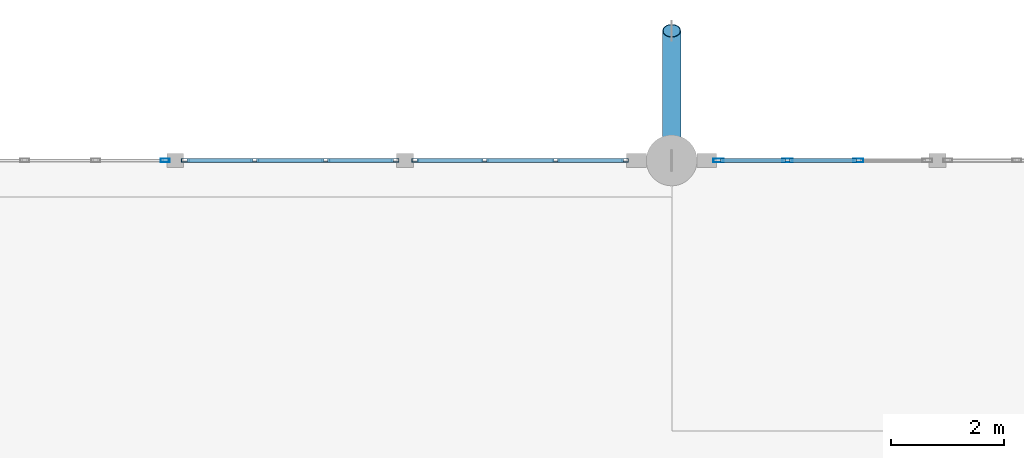
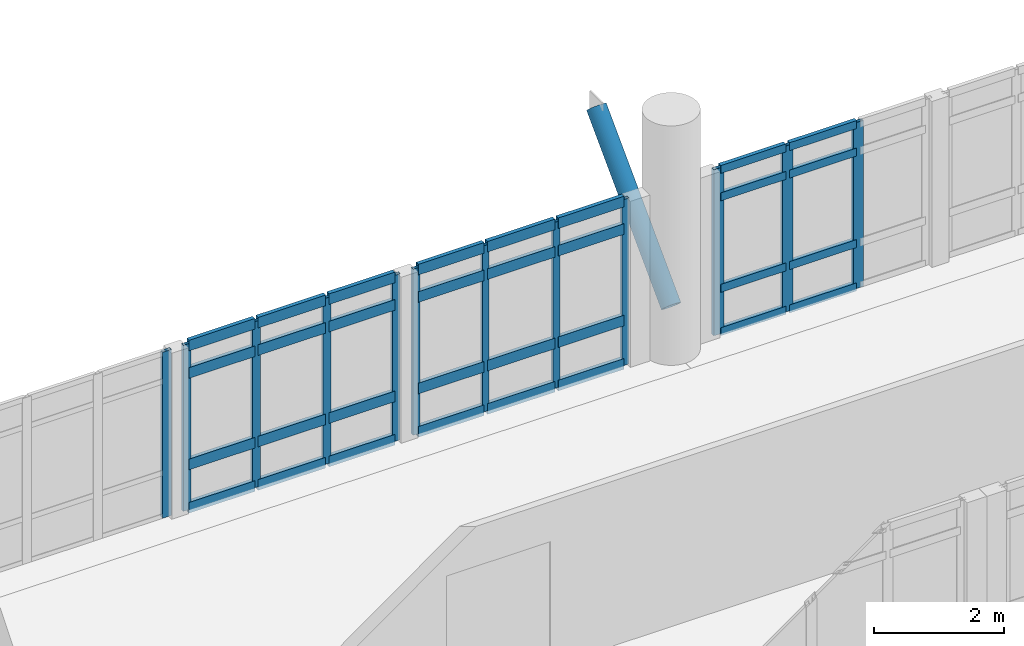
# One storey, part 16 of 37: 45 members, 4 elements without a shape of their own.
"""IFC4 building model written with IfcOpenShell, lengths in metres."""

from ifc_helpers import new_model, si_unit, direction, frame, origin, origin_2d, place, context, subcontext, project, spatial, hollow_rectangle, hollow_circle, extrude, material, layer, layer_set, material_profile, profile_set, type_object, element, aggregate, save


model = new_model("IFC4")

# Units and contexts
model_context = context("Model", 3, precision=1e-05, world=origin(), true_north=direction((0.0, 1.0)))
body_context = subcontext(model_context, "Body", "Model", "MODEL_VIEW")
ifc_project = project(units=[si_unit("LENGTHUNIT", "METRE"), si_unit("AREAUNIT", "SQUARE_METRE"), si_unit("VOLUMEUNIT", "CUBIC_METRE"), si_unit("PLANEANGLEUNIT", "RADIAN"), si_unit("MASSUNIT", "GRAM", prefix="KILO")], contexts=[model_context])

# Site, building, storey
site_placement = place(None, origin())
site = spatial("IfcSite", under=ifc_project, at=site_placement, CompositionType="ELEMENT")
building_placement = place(site_placement, origin())
building = spatial("IfcBuilding", under=site, at=building_placement, Name="Fikremerkos Civic Library", CompositionType="ELEMENT")
storey_placement = place(building_placement, frame((0.0, 0.0, 23.39990234375)))
storey = spatial("IfcBuildingStorey", under=building, at=storey_placement, Name="L05", CompositionType="ELEMENT", Elevation=23.39990234375)

# Curtain wall, members
ifc_material_1 = material(Name="Anodized aluminium Frame", Category="aluminium")
ifc_layer_1 = layer(ifc_material_1, 0.159912109375, Name="Anodized aluminium Frame")
ifc_layer_set_1 = layer_set([ifc_layer_1], Name="Anodized aluminium Frame")
curtain_wall_type_1 = type_object("IfcCurtainWallType", Name="Unitised curtain wall CW-17 4600x3600", PredefinedType="USERDEFINED", material=ifc_layer_set_1)
curtain_wall_1_placement = place(storey_placement, origin())
curtain_wall_1 = element("IfcCurtainWall", 1, at=curtain_wall_1_placement, inside=storey, type_object=curtain_wall_type_1, Name="Unitised curtain wall CW-17 L05 #269", ObjectType="UNITISED CURTAIN WALL", PredefinedType="USERDEFINED")
ifc_material_profile_1 = material_profile(ifc_material_1, hollow_rectangle(XDim=0.06494140625, YDim=0.179931640625, WallThickness=0.00439453125, at=origin_2d()), Name="ALU 180x65x4.5")
ifc_profile_set_1 = profile_set([ifc_material_profile_1], Name="Anodized aluminium Frame")
member_type_1 = type_object("IfcMemberType", Name="Curtain mullion CWM-01 ALU 180x65x4.5", PredefinedType="MULLION", material=ifc_profile_set_1)
member_1_placement = place(storey_placement, frame((74.030517578125, 31.199951171875, 0.0), z_axis=(0.0, 0.0, 1.0), x_axis=(0.0, 1.0, 0.0)))
member_1 = element("IfcMember", 2, at=member_1_placement, type_object=member_type_1, Name="CW-17 mullion 1", PredefinedType="MULLION", context=body_context, shape_type="SweptSolid", body=[
    extrude(hollow_rectangle(XDim=0.06494140625, YDim=0.179931640625, WallThickness=0.00439453125, at=origin_2d()), origin(), (0.0, 0.0, 1.0), 3.1201171875),
])
member_2_placement = place(storey_placement, frame((75.25390625, 31.199951171875, 0.0), z_axis=(0.0, 0.0, 1.0), x_axis=(0.0, 1.0, 0.0)))
member_2 = element("IfcMember", 3, at=member_2_placement, type_object=member_type_1, Name="CW-17 mullion 2", PredefinedType="MULLION", context=body_context, shape_type="SweptSolid", body=[
    extrude(hollow_rectangle(XDim=0.06494140625, YDim=0.179931640625, WallThickness=0.00439453125, at=origin_2d()), origin(), (0.0, 0.0, 1.0), 3.1201171875),
])
member_3_placement = place(storey_placement, frame((76.510009765625, 31.199951171875, 0.0), z_axis=(0.0, 0.0, 1.0), x_axis=(0.0, 1.0, 0.0)))
member_3 = element("IfcMember", 4, at=member_3_placement, type_object=member_type_1, Name="CW-17 mullion 3", PredefinedType="MULLION", context=body_context, shape_type="SweptSolid", body=[
    extrude(hollow_rectangle(XDim=0.06494140625, YDim=0.179931640625, WallThickness=0.00439453125, at=origin_2d()), origin(), (0.0, 0.0, 1.0), 3.1201171875),
])

# Curtain wall, member
ifc_layer_2 = layer(ifc_material_1, 0.159912109375, Name="Anodized aluminium Frame")
ifc_layer_set_2 = layer_set([ifc_layer_2], Name="Anodized aluminium Frame")
curtain_wall_type_2 = type_object("IfcCurtainWallType", Name="Unitised curtain wall CW-14 4100x3200", PredefinedType="USERDEFINED", material=ifc_layer_set_2)
curtain_wall_2_placement = place(storey_placement, origin())
curtain_wall_2 = element("IfcCurtainWall", 5, at=curtain_wall_2_placement, inside=storey, type_object=curtain_wall_type_2, Name="Unitised curtain wall CW-14 L05 #266", ObjectType="UNITISED CURTAIN WALL", PredefinedType="USERDEFINED")
ifc_material_profile_2 = material_profile(ifc_material_1, hollow_rectangle(XDim=0.06005859375, YDim=0.159912109375, WallThickness=0.00390625, at=origin_2d()), Name="ALU 160x60x4")
ifc_profile_set_2 = profile_set([ifc_material_profile_2], Name="Anodized aluminium Frame")
member_type_2 = type_object("IfcMemberType", Name="Curtain mullion CWM-02 ALU 160x60x4", PredefinedType="MULLION", material=ifc_profile_set_2)
member_4_placement = place(storey_placement, frame((64.21923828125, 31.199951171875, 0.0), z_axis=(0.0, 0.0, 1.0), x_axis=(0.0, 1.0, 0.0)))
member_4 = element("IfcMember", 6, at=member_4_placement, type_object=member_type_2, Name="CW-14 mullion 4", PredefinedType="MULLION", context=body_context, shape_type="SweptSolid", body=[
    extrude(hollow_rectangle(XDim=0.06005859375, YDim=0.159912109375, WallThickness=0.00390625, at=origin_2d()), origin(), (0.0, 0.0, 1.0), 3.1201171875),
])
aggregate(curtain_wall_2, [member_4])

# Curtain wall, members
ifc_layer_3 = layer(ifc_material_1, 0.159912109375, Name="Anodized aluminium Frame")
ifc_layer_set_3 = layer_set([ifc_layer_3], Name="Anodized aluminium Frame")
curtain_wall_type_3 = type_object("IfcCurtainWallType", Name="Unitised curtain wall CW-15 2900x3600", PredefinedType="USERDEFINED", material=ifc_layer_set_3)
curtain_wall_3_placement = place(storey_placement, origin())
curtain_wall_3 = element("IfcCurtainWall", 7, at=curtain_wall_3_placement, inside=storey, type_object=curtain_wall_type_3, Name="Unitised curtain wall CW-15 L05 #267", ObjectType="UNITISED CURTAIN WALL", PredefinedType="USERDEFINED")
ifc_material_profile_3 = material_profile(ifc_material_1, hollow_rectangle(XDim=0.06005859375, YDim=0.139892578125, WallThickness=0.00390625, at=origin_2d()), Name="ALU 140x60x4")
ifc_profile_set_3 = profile_set([ifc_material_profile_3], Name="Anodized aluminium Frame")
member_type_3 = type_object("IfcMemberType", Name="Curtain mullion CWM-03 ALU 140x60x4", PredefinedType="MULLION", material=ifc_profile_set_3)
member_5_placement = place(storey_placement, frame((64.579345703125, 31.199951171875, 0.0), z_axis=(0.0, 0.0, 1.0), x_axis=(0.0, 1.0, 0.0)))
member_5 = element("IfcMember", 8, at=member_5_placement, type_object=member_type_3, Name="CW-15 mullion 1", PredefinedType="MULLION", context=body_context, shape_type="SweptSolid", body=[
    extrude(hollow_rectangle(XDim=0.06005859375, YDim=0.139892578125, WallThickness=0.00390625, at=origin_2d()), origin(), (0.0, 0.0, 1.0), 3.1201171875),
])
member_6_placement = place(storey_placement, frame((65.80810546875, 31.199951171875, 0.0), z_axis=(0.0, 0.0, 1.0), x_axis=(0.0, 1.0, 0.0)))
member_6 = element("IfcMember", 9, at=member_6_placement, type_object=member_type_3, Name="CW-15 mullion 2", PredefinedType="MULLION", context=body_context, shape_type="SweptSolid", body=[
    extrude(hollow_rectangle(XDim=0.06005859375, YDim=0.139892578125, WallThickness=0.00390625, at=origin_2d()), origin(), (0.0, 0.0, 1.0), 3.1201171875),
])
member_7_placement = place(storey_placement, frame((67.06689453125, 31.199951171875, 0.0), z_axis=(0.0, 0.0, 1.0), x_axis=(0.0, 1.0, 0.0)))
member_7 = element("IfcMember", 10, at=member_7_placement, type_object=member_type_3, Name="CW-15 mullion 3", PredefinedType="MULLION", context=body_context, shape_type="SweptSolid", body=[
    extrude(hollow_rectangle(XDim=0.06005859375, YDim=0.139892578125, WallThickness=0.00390625, at=origin_2d()), origin(), (0.0, 0.0, 1.0), 3.1201171875),
])
member_8_placement = place(storey_placement, frame((68.295654296875, 31.199951171875, 0.0), z_axis=(0.0, 0.0, 1.0), x_axis=(0.0, 1.0, 0.0)))
member_8 = element("IfcMember", 11, at=member_8_placement, type_object=member_type_3, Name="CW-15 mullion 4", PredefinedType="MULLION", context=body_context, shape_type="SweptSolid", body=[
    extrude(hollow_rectangle(XDim=0.06005859375, YDim=0.139892578125, WallThickness=0.00390625, at=origin_2d()), origin(), (0.0, 0.0, 1.0), 3.1201171875),
])

ifc_layer_4 = layer(ifc_material_1, 0.159912109375, Name="Anodized aluminium Frame")
ifc_layer_set_4 = layer_set([ifc_layer_4], Name="Anodized aluminium Frame")
curtain_wall_type_4 = type_object("IfcCurtainWallType", Name="Unitised curtain wall CW-16 3100x4100", PredefinedType="USERDEFINED", material=ifc_layer_set_4)
curtain_wall_4_placement = place(storey_placement, origin())
curtain_wall_4 = element("IfcCurtainWall", 12, at=curtain_wall_4_placement, inside=storey, type_object=curtain_wall_type_4, Name="Unitised curtain wall CW-16 L05 #268", ObjectType="UNITISED CURTAIN WALL", PredefinedType="USERDEFINED")
ifc_material_profile_4 = material_profile(ifc_material_1, hollow_rectangle(XDim=0.06005859375, YDim=0.1201171875, WallThickness=0.00390625, at=origin_2d()), Name="ALU 120x60x4")
ifc_profile_set_4 = profile_set([ifc_material_profile_4], Name="Anodized aluminium Frame")
member_type_4 = type_object("IfcMemberType", Name="Curtain mullion CWM-04 ALU 120x60x4", PredefinedType="MULLION", material=ifc_profile_set_4)
member_9_placement = place(storey_placement, frame((68.65576171875, 31.199951171875, 0.0), z_axis=(0.0, 0.0, 1.0), x_axis=(0.0, 1.0, 0.0)))
member_9 = element("IfcMember", 13, at=member_9_placement, type_object=member_type_4, Name="CW-16 mullion 1", PredefinedType="MULLION", context=body_context, shape_type="SweptSolid", body=[
    extrude(hollow_rectangle(XDim=0.06005859375, YDim=0.1201171875, WallThickness=0.00390625, at=origin_2d()), origin(), (0.0, 0.0, 1.0), 3.1201171875),
])
member_10_placement = place(storey_placement, frame((69.884521484375, 31.199951171875, 0.0), z_axis=(0.0, 0.0, 1.0), x_axis=(0.0, 1.0, 0.0)))
member_10 = element("IfcMember", 14, at=member_10_placement, type_object=member_type_4, Name="CW-16 mullion 2", PredefinedType="MULLION", context=body_context, shape_type="SweptSolid", body=[
    extrude(hollow_rectangle(XDim=0.06005859375, YDim=0.1201171875, WallThickness=0.00390625, at=origin_2d()), origin(), (0.0, 0.0, 1.0), 3.1201171875),
])
member_11_placement = place(storey_placement, frame((71.143310546875, 31.199951171875, 0.0), z_axis=(0.0, 0.0, 1.0), x_axis=(0.0, 1.0, 0.0)))
member_11 = element("IfcMember", 15, at=member_11_placement, type_object=member_type_4, Name="CW-16 mullion 3", PredefinedType="MULLION", context=body_context, shape_type="SweptSolid", body=[
    extrude(hollow_rectangle(XDim=0.06005859375, YDim=0.1201171875, WallThickness=0.00390625, at=origin_2d()), origin(), (0.0, 0.0, 1.0), 3.1201171875),
])
member_12_placement = place(storey_placement, frame((72.3720703125, 31.199951171875, 0.0), z_axis=(0.0, 0.0, 1.0), x_axis=(0.0, 1.0, 0.0)))
member_12 = element("IfcMember", 16, at=member_12_placement, type_object=member_type_4, Name="CW-16 mullion 4", PredefinedType="MULLION", context=body_context, shape_type="SweptSolid", body=[
    extrude(hollow_rectangle(XDim=0.06005859375, YDim=0.1201171875, WallThickness=0.00390625, at=origin_2d()), origin(), (0.0, 0.0, 1.0), 3.1201171875),
])

# Member
ifc_material_profile_5 = material_profile(ifc_material_1, hollow_rectangle(XDim=0.070068359375, YDim=0.14990234375, WallThickness=0.00439453125, at=origin_2d()), Name="ALU 150x70x4.5")
ifc_profile_set_5 = profile_set([ifc_material_profile_5], Name="Anodized aluminium Frame")
member_type_5 = type_object("IfcMemberType", Name="Curtain transom CWT-01 ALU 150x70x4.5", PredefinedType="USERDEFINED", material=ifc_profile_set_5)
member_13_placement = place(storey_placement, frame((74.06298828125, 31.199951171875, 0.03515625), z_axis=(1.0, 0.0, 0.0), x_axis=(0.0, 1.0, 0.0)))
member_13 = element("IfcMember", 17, at=member_13_placement, type_object=member_type_5, Name="CW-17 transom 1.1", ObjectType="TRANSOM", PredefinedType="USERDEFINED", context=body_context, shape_type="SweptSolid", body=[
    extrude(hollow_rectangle(XDim=0.070068359375, YDim=0.14990234375, WallThickness=0.00439453125, at=origin_2d()), origin(), (0.0, 0.0, 1.0), 1.158447265625),
])

member_14_placement = place(storey_placement, frame((74.06298828125, 31.199951171875, 0.85009765625), z_axis=(1.0, 0.0, 0.0), x_axis=(0.0, 1.0, 0.0)))
member_14 = element("IfcMember", 18, at=member_14_placement, type_object=member_type_5, Name="CW-17 transom 1.2", ObjectType="TRANSOM", PredefinedType="USERDEFINED", context=body_context, shape_type="SweptSolid", body=[
    extrude(hollow_rectangle(XDim=0.070068359375, YDim=0.14990234375, WallThickness=0.00439453125, at=origin_2d()), origin(), (0.0, 0.0, 1.0), 1.158447265625),
])

member_15_placement = place(storey_placement, frame((74.06298828125, 31.199951171875, 2.570068359375), z_axis=(1.0, 0.0, 0.0), x_axis=(0.0, 1.0, 0.0)))
member_15 = element("IfcMember", 19, at=member_15_placement, type_object=member_type_5, Name="CW-17 transom 1.3", ObjectType="TRANSOM", PredefinedType="USERDEFINED", context=body_context, shape_type="SweptSolid", body=[
    extrude(hollow_rectangle(XDim=0.070068359375, YDim=0.14990234375, WallThickness=0.00439453125, at=origin_2d()), origin(), (0.0, 0.0, 1.0), 1.158447265625),
])

member_16_placement = place(storey_placement, frame((74.06298828125, 31.199951171875, 3.085205078125), z_axis=(1.0, 0.0, 0.0), x_axis=(0.0, 1.0, 0.0)))
member_16 = element("IfcMember", 20, at=member_16_placement, type_object=member_type_5, Name="CW-17 transom 1.4", ObjectType="TRANSOM", PredefinedType="USERDEFINED", context=body_context, shape_type="SweptSolid", body=[
    extrude(hollow_rectangle(XDim=0.070068359375, YDim=0.14990234375, WallThickness=0.00439453125, at=origin_2d()), origin(), (0.0, 0.0, 1.0), 1.158447265625),
])

member_17_placement = place(storey_placement, frame((75.28662109375, 31.199951171875, 0.03515625), z_axis=(1.0, 0.0, 0.0), x_axis=(0.0, 1.0, 0.0)))
member_17 = element("IfcMember", 21, at=member_17_placement, type_object=member_type_5, Name="CW-17 transom 2.1", ObjectType="TRANSOM", PredefinedType="USERDEFINED", context=body_context, shape_type="SweptSolid", body=[
    extrude(hollow_rectangle(XDim=0.070068359375, YDim=0.14990234375, WallThickness=0.00439453125, at=origin_2d()), origin(), (0.0, 0.0, 1.0), 1.19091796875),
])

member_18_placement = place(storey_placement, frame((75.28662109375, 31.199951171875, 0.85009765625), z_axis=(1.0, 0.0, 0.0), x_axis=(0.0, 1.0, 0.0)))
member_18 = element("IfcMember", 22, at=member_18_placement, type_object=member_type_5, Name="CW-17 transom 2.2", ObjectType="TRANSOM", PredefinedType="USERDEFINED", context=body_context, shape_type="SweptSolid", body=[
    extrude(hollow_rectangle(XDim=0.070068359375, YDim=0.14990234375, WallThickness=0.00439453125, at=origin_2d()), origin(), (0.0, 0.0, 1.0), 1.19091796875),
])

member_19_placement = place(storey_placement, frame((75.28662109375, 31.199951171875, 2.570068359375), z_axis=(1.0, 0.0, 0.0), x_axis=(0.0, 1.0, 0.0)))
member_19 = element("IfcMember", 23, at=member_19_placement, type_object=member_type_5, Name="CW-17 transom 2.3", ObjectType="TRANSOM", PredefinedType="USERDEFINED", context=body_context, shape_type="SweptSolid", body=[
    extrude(hollow_rectangle(XDim=0.070068359375, YDim=0.14990234375, WallThickness=0.00439453125, at=origin_2d()), origin(), (0.0, 0.0, 1.0), 1.19091796875),
])

member_20_placement = place(storey_placement, frame((75.28662109375, 31.199951171875, 3.085205078125), z_axis=(1.0, 0.0, 0.0), x_axis=(0.0, 1.0, 0.0)))
member_20 = element("IfcMember", 24, at=member_20_placement, type_object=member_type_5, Name="CW-17 transom 2.4", ObjectType="TRANSOM", PredefinedType="USERDEFINED", context=body_context, shape_type="SweptSolid", body=[
    extrude(hollow_rectangle(XDim=0.070068359375, YDim=0.14990234375, WallThickness=0.00439453125, at=origin_2d()), origin(), (0.0, 0.0, 1.0), 1.19091796875),
])

aggregate(curtain_wall_1, [member_1, member_2, member_3, member_13, member_14, member_15, member_16, member_17, member_18, member_19, member_20])

ifc_material_profile_6 = material_profile(ifc_material_1, hollow_rectangle(XDim=0.070068359375, YDim=0.199951171875, WallThickness=0.0048828125, at=origin_2d()), Name="ALU 200x70x5")
ifc_profile_set_6 = profile_set([ifc_material_profile_6], Name="Anodized aluminium Frame")
member_type_6 = type_object("IfcMemberType", Name="Curtain transom CWT-04 ALU 200x70x5", PredefinedType="USERDEFINED", material=ifc_profile_set_6)
member_21_placement = place(storey_placement, frame((64.609375, 31.199951171875, 0.03515625), z_axis=(1.0, 0.0, 0.0), x_axis=(0.0, 1.0, 0.0)))
member_21 = element("IfcMember", 25, at=member_21_placement, type_object=member_type_6, Name="CW-15 transom 1.1", ObjectType="TRANSOM", PredefinedType="USERDEFINED", context=body_context, shape_type="SweptSolid", body=[
    extrude(hollow_rectangle(XDim=0.070068359375, YDim=0.199951171875, WallThickness=0.0048828125, at=origin_2d()), origin(), (0.0, 0.0, 1.0), 1.168701171875),
])

member_22_placement = place(storey_placement, frame((64.609375, 31.199951171875, 0.85009765625), z_axis=(1.0, 0.0, 0.0), x_axis=(0.0, 1.0, 0.0)))
member_22 = element("IfcMember", 26, at=member_22_placement, type_object=member_type_6, Name="CW-15 transom 1.2", ObjectType="TRANSOM", PredefinedType="USERDEFINED", context=body_context, shape_type="SweptSolid", body=[
    extrude(hollow_rectangle(XDim=0.070068359375, YDim=0.199951171875, WallThickness=0.0048828125, at=origin_2d()), origin(), (0.0, 0.0, 1.0), 1.168701171875),
])

member_23_placement = place(storey_placement, frame((64.609375, 31.199951171875, 2.570068359375), z_axis=(1.0, 0.0, 0.0), x_axis=(0.0, 1.0, 0.0)))
member_23 = element("IfcMember", 27, at=member_23_placement, type_object=member_type_6, Name="CW-15 transom 1.3", ObjectType="TRANSOM", PredefinedType="USERDEFINED", context=body_context, shape_type="SweptSolid", body=[
    extrude(hollow_rectangle(XDim=0.070068359375, YDim=0.199951171875, WallThickness=0.0048828125, at=origin_2d()), origin(), (0.0, 0.0, 1.0), 1.168701171875),
])

member_24_placement = place(storey_placement, frame((64.609375, 31.199951171875, 3.085205078125), z_axis=(1.0, 0.0, 0.0), x_axis=(0.0, 1.0, 0.0)))
member_24 = element("IfcMember", 28, at=member_24_placement, type_object=member_type_6, Name="CW-15 transom 1.4", ObjectType="TRANSOM", PredefinedType="USERDEFINED", context=body_context, shape_type="SweptSolid", body=[
    extrude(hollow_rectangle(XDim=0.070068359375, YDim=0.199951171875, WallThickness=0.0048828125, at=origin_2d()), origin(), (0.0, 0.0, 1.0), 1.168701171875),
])

member_25_placement = place(storey_placement, frame((65.838134765625, 31.199951171875, 0.03515625), z_axis=(1.0, 0.0, 0.0), x_axis=(0.0, 1.0, 0.0)))
member_25 = element("IfcMember", 29, at=member_25_placement, type_object=member_type_6, Name="CW-15 transom 2.1", ObjectType="TRANSOM", PredefinedType="USERDEFINED", context=body_context, shape_type="SweptSolid", body=[
    extrude(hollow_rectangle(XDim=0.070068359375, YDim=0.199951171875, WallThickness=0.0048828125, at=origin_2d()), origin(), (0.0, 0.0, 1.0), 1.19873046875),
])

member_26_placement = place(storey_placement, frame((65.838134765625, 31.199951171875, 0.85009765625), z_axis=(1.0, 0.0, 0.0), x_axis=(0.0, 1.0, 0.0)))
member_26 = element("IfcMember", 30, at=member_26_placement, type_object=member_type_6, Name="CW-15 transom 2.2", ObjectType="TRANSOM", PredefinedType="USERDEFINED", context=body_context, shape_type="SweptSolid", body=[
    extrude(hollow_rectangle(XDim=0.070068359375, YDim=0.199951171875, WallThickness=0.0048828125, at=origin_2d()), origin(), (0.0, 0.0, 1.0), 1.19873046875),
])

member_27_placement = place(storey_placement, frame((65.838134765625, 31.199951171875, 2.570068359375), z_axis=(1.0, 0.0, 0.0), x_axis=(0.0, 1.0, 0.0)))
member_27 = element("IfcMember", 31, at=member_27_placement, type_object=member_type_6, Name="CW-15 transom 2.3", ObjectType="TRANSOM", PredefinedType="USERDEFINED", context=body_context, shape_type="SweptSolid", body=[
    extrude(hollow_rectangle(XDim=0.070068359375, YDim=0.199951171875, WallThickness=0.0048828125, at=origin_2d()), origin(), (0.0, 0.0, 1.0), 1.19873046875),
])

member_28_placement = place(storey_placement, frame((65.838134765625, 31.199951171875, 3.085205078125), z_axis=(1.0, 0.0, 0.0), x_axis=(0.0, 1.0, 0.0)))
member_28 = element("IfcMember", 32, at=member_28_placement, type_object=member_type_6, Name="CW-15 transom 2.4", ObjectType="TRANSOM", PredefinedType="USERDEFINED", context=body_context, shape_type="SweptSolid", body=[
    extrude(hollow_rectangle(XDim=0.070068359375, YDim=0.199951171875, WallThickness=0.0048828125, at=origin_2d()), origin(), (0.0, 0.0, 1.0), 1.19873046875),
])

member_29_placement = place(storey_placement, frame((67.096923828125, 31.199951171875, 0.03515625), z_axis=(1.0, 0.0, 0.0), x_axis=(0.0, 1.0, 0.0)))
member_29 = element("IfcMember", 33, at=member_29_placement, type_object=member_type_6, Name="CW-15 transom 3.1", ObjectType="TRANSOM", PredefinedType="USERDEFINED", context=body_context, shape_type="SweptSolid", body=[
    extrude(hollow_rectangle(XDim=0.070068359375, YDim=0.199951171875, WallThickness=0.0048828125, at=origin_2d()), origin(), (0.0, 0.0, 1.0), 1.168701171875),
])

member_30_placement = place(storey_placement, frame((67.096923828125, 31.199951171875, 0.85009765625), z_axis=(1.0, 0.0, 0.0), x_axis=(0.0, 1.0, 0.0)))
member_30 = element("IfcMember", 34, at=member_30_placement, type_object=member_type_6, Name="CW-15 transom 3.2", ObjectType="TRANSOM", PredefinedType="USERDEFINED", context=body_context, shape_type="SweptSolid", body=[
    extrude(hollow_rectangle(XDim=0.070068359375, YDim=0.199951171875, WallThickness=0.0048828125, at=origin_2d()), origin(), (0.0, 0.0, 1.0), 1.168701171875),
])

member_31_placement = place(storey_placement, frame((67.096923828125, 31.199951171875, 2.570068359375), z_axis=(1.0, 0.0, 0.0), x_axis=(0.0, 1.0, 0.0)))
member_31 = element("IfcMember", 35, at=member_31_placement, type_object=member_type_6, Name="CW-15 transom 3.3", ObjectType="TRANSOM", PredefinedType="USERDEFINED", context=body_context, shape_type="SweptSolid", body=[
    extrude(hollow_rectangle(XDim=0.070068359375, YDim=0.199951171875, WallThickness=0.0048828125, at=origin_2d()), origin(), (0.0, 0.0, 1.0), 1.168701171875),
])

member_32_placement = place(storey_placement, frame((67.096923828125, 31.199951171875, 3.085205078125), z_axis=(1.0, 0.0, 0.0), x_axis=(0.0, 1.0, 0.0)))
member_32 = element("IfcMember", 36, at=member_32_placement, type_object=member_type_6, Name="CW-15 transom 3.4", ObjectType="TRANSOM", PredefinedType="USERDEFINED", context=body_context, shape_type="SweptSolid", body=[
    extrude(hollow_rectangle(XDim=0.070068359375, YDim=0.199951171875, WallThickness=0.0048828125, at=origin_2d()), origin(), (0.0, 0.0, 1.0), 1.168701171875),
])

aggregate(curtain_wall_3, [member_5, member_6, member_7, member_8, member_21, member_22, member_23, member_24, member_25, member_26, member_27, member_28, member_29, member_30, member_31, member_32])

member_33_placement = place(storey_placement, frame((68.685791015625, 31.199951171875, 0.03515625), z_axis=(1.0, 0.0, 0.0), x_axis=(0.0, 1.0, 0.0)))
member_33 = element("IfcMember", 37, at=member_33_placement, type_object=member_type_6, Name="CW-16 transom 1.1", ObjectType="TRANSOM", PredefinedType="USERDEFINED", context=body_context, shape_type="SweptSolid", body=[
    extrude(hollow_rectangle(XDim=0.070068359375, YDim=0.199951171875, WallThickness=0.0048828125, at=origin_2d()), origin(), (0.0, 0.0, 1.0), 1.168701171875),
])

member_34_placement = place(storey_placement, frame((68.685791015625, 31.199951171875, 0.85009765625), z_axis=(1.0, 0.0, 0.0), x_axis=(0.0, 1.0, 0.0)))
member_34 = element("IfcMember", 38, at=member_34_placement, type_object=member_type_6, Name="CW-16 transom 1.2", ObjectType="TRANSOM", PredefinedType="USERDEFINED", context=body_context, shape_type="SweptSolid", body=[
    extrude(hollow_rectangle(XDim=0.070068359375, YDim=0.199951171875, WallThickness=0.0048828125, at=origin_2d()), origin(), (0.0, 0.0, 1.0), 1.168701171875),
])

member_35_placement = place(storey_placement, frame((68.685791015625, 31.199951171875, 2.570068359375), z_axis=(1.0, 0.0, 0.0), x_axis=(0.0, 1.0, 0.0)))
member_35 = element("IfcMember", 39, at=member_35_placement, type_object=member_type_6, Name="CW-16 transom 1.3", ObjectType="TRANSOM", PredefinedType="USERDEFINED", context=body_context, shape_type="SweptSolid", body=[
    extrude(hollow_rectangle(XDim=0.070068359375, YDim=0.199951171875, WallThickness=0.0048828125, at=origin_2d()), origin(), (0.0, 0.0, 1.0), 1.168701171875),
])

member_36_placement = place(storey_placement, frame((68.685791015625, 31.199951171875, 3.085205078125), z_axis=(1.0, 0.0, 0.0), x_axis=(0.0, 1.0, 0.0)))
member_36 = element("IfcMember", 40, at=member_36_placement, type_object=member_type_6, Name="CW-16 transom 1.4", ObjectType="TRANSOM", PredefinedType="USERDEFINED", context=body_context, shape_type="SweptSolid", body=[
    extrude(hollow_rectangle(XDim=0.070068359375, YDim=0.199951171875, WallThickness=0.0048828125, at=origin_2d()), origin(), (0.0, 0.0, 1.0), 1.168701171875),
])

member_37_placement = place(storey_placement, frame((69.91455078125, 31.199951171875, 0.03515625), z_axis=(1.0, 0.0, 0.0), x_axis=(0.0, 1.0, 0.0)))
member_37 = element("IfcMember", 41, at=member_37_placement, type_object=member_type_6, Name="CW-16 transom 2.1", ObjectType="TRANSOM", PredefinedType="USERDEFINED", context=body_context, shape_type="SweptSolid", body=[
    extrude(hollow_rectangle(XDim=0.070068359375, YDim=0.199951171875, WallThickness=0.0048828125, at=origin_2d()), origin(), (0.0, 0.0, 1.0), 1.19873046875),
])

member_38_placement = place(storey_placement, frame((69.91455078125, 31.199951171875, 0.85009765625), z_axis=(1.0, 0.0, 0.0), x_axis=(0.0, 1.0, 0.0)))
member_38 = element("IfcMember", 42, at=member_38_placement, type_object=member_type_6, Name="CW-16 transom 2.2", ObjectType="TRANSOM", PredefinedType="USERDEFINED", context=body_context, shape_type="SweptSolid", body=[
    extrude(hollow_rectangle(XDim=0.070068359375, YDim=0.199951171875, WallThickness=0.0048828125, at=origin_2d()), origin(), (0.0, 0.0, 1.0), 1.19873046875),
])

member_39_placement = place(storey_placement, frame((69.91455078125, 31.199951171875, 2.570068359375), z_axis=(1.0, 0.0, 0.0), x_axis=(0.0, 1.0, 0.0)))
member_39 = element("IfcMember", 43, at=member_39_placement, type_object=member_type_6, Name="CW-16 transom 2.3", ObjectType="TRANSOM", PredefinedType="USERDEFINED", context=body_context, shape_type="SweptSolid", body=[
    extrude(hollow_rectangle(XDim=0.070068359375, YDim=0.199951171875, WallThickness=0.0048828125, at=origin_2d()), origin(), (0.0, 0.0, 1.0), 1.19873046875),
])

member_40_placement = place(storey_placement, frame((69.91455078125, 31.199951171875, 3.085205078125), z_axis=(1.0, 0.0, 0.0), x_axis=(0.0, 1.0, 0.0)))
member_40 = element("IfcMember", 44, at=member_40_placement, type_object=member_type_6, Name="CW-16 transom 2.4", ObjectType="TRANSOM", PredefinedType="USERDEFINED", context=body_context, shape_type="SweptSolid", body=[
    extrude(hollow_rectangle(XDim=0.070068359375, YDim=0.199951171875, WallThickness=0.0048828125, at=origin_2d()), origin(), (0.0, 0.0, 1.0), 1.19873046875),
])

member_41_placement = place(storey_placement, frame((71.17333984375, 31.199951171875, 0.03515625), z_axis=(1.0, 0.0, 0.0), x_axis=(0.0, 1.0, 0.0)))
member_41 = element("IfcMember", 45, at=member_41_placement, type_object=member_type_6, Name="CW-16 transom 3.1", ObjectType="TRANSOM", PredefinedType="USERDEFINED", context=body_context, shape_type="SweptSolid", body=[
    extrude(hollow_rectangle(XDim=0.070068359375, YDim=0.199951171875, WallThickness=0.0048828125, at=origin_2d()), origin(), (0.0, 0.0, 1.0), 1.168701171875),
])

member_42_placement = place(storey_placement, frame((71.17333984375, 31.199951171875, 0.85009765625), z_axis=(1.0, 0.0, 0.0), x_axis=(0.0, 1.0, 0.0)))
member_42 = element("IfcMember", 46, at=member_42_placement, type_object=member_type_6, Name="CW-16 transom 3.2", ObjectType="TRANSOM", PredefinedType="USERDEFINED", context=body_context, shape_type="SweptSolid", body=[
    extrude(hollow_rectangle(XDim=0.070068359375, YDim=0.199951171875, WallThickness=0.0048828125, at=origin_2d()), origin(), (0.0, 0.0, 1.0), 1.168701171875),
])

member_43_placement = place(storey_placement, frame((71.17333984375, 31.199951171875, 2.570068359375), z_axis=(1.0, 0.0, 0.0), x_axis=(0.0, 1.0, 0.0)))
member_43 = element("IfcMember", 47, at=member_43_placement, type_object=member_type_6, Name="CW-16 transom 3.3", ObjectType="TRANSOM", PredefinedType="USERDEFINED", context=body_context, shape_type="SweptSolid", body=[
    extrude(hollow_rectangle(XDim=0.070068359375, YDim=0.199951171875, WallThickness=0.0048828125, at=origin_2d()), origin(), (0.0, 0.0, 1.0), 1.168701171875),
])

member_44_placement = place(storey_placement, frame((71.17333984375, 31.199951171875, 3.085205078125), z_axis=(1.0, 0.0, 0.0), x_axis=(0.0, 1.0, 0.0)))
member_44 = element("IfcMember", 48, at=member_44_placement, type_object=member_type_6, Name="CW-16 transom 3.4", ObjectType="TRANSOM", PredefinedType="USERDEFINED", context=body_context, shape_type="SweptSolid", body=[
    extrude(hollow_rectangle(XDim=0.070068359375, YDim=0.199951171875, WallThickness=0.0048828125, at=origin_2d()), origin(), (0.0, 0.0, 1.0), 1.168701171875),
])

aggregate(curtain_wall_4, [member_9, member_10, member_11, member_12, member_33, member_34, member_35, member_36, member_37, member_38, member_39, member_40, member_41, member_42, member_43, member_44])

ifc_material_2 = material(Name="Steel S355", Category="steel")
ifc_material_profile_7 = material_profile(ifc_material_2, hollow_circle(Radius=0.161865234375, WallThickness=0.012451171875, at=origin_2d()), Name="CHS 323.9x12.5")
ifc_profile_set_7 = profile_set([ifc_material_profile_7], Name="Steel S355")
member_type_7 = type_object("IfcMemberType", Name="Raking strut STR-03 CHS 323.9x12.5", PredefinedType="STRUT", material=ifc_profile_set_7)
member_45_placement = place(storey_placement, frame((73.199951171875, 31.199951171875, 0.800048828125), z_axis=(0.0, 0.69945578618, 0.714675872812), x_axis=(-1.0, 0.0, 0.0)))
element("IfcMember", 49, at=member_45_placement, inside=storey, type_object=member_type_7, Name="Raking valley overhang strut STR-03 L05 X=73.2", PredefinedType="STRUT", context=body_context, shape_type="SweptSolid", body=[
    extrude(hollow_circle(Radius=0.161865234375, WallThickness=0.012451171875, at=origin_2d()), origin(), (0.0, 0.0, 1.0), 3.288330078125),
])

save(model, "model.ifc")
